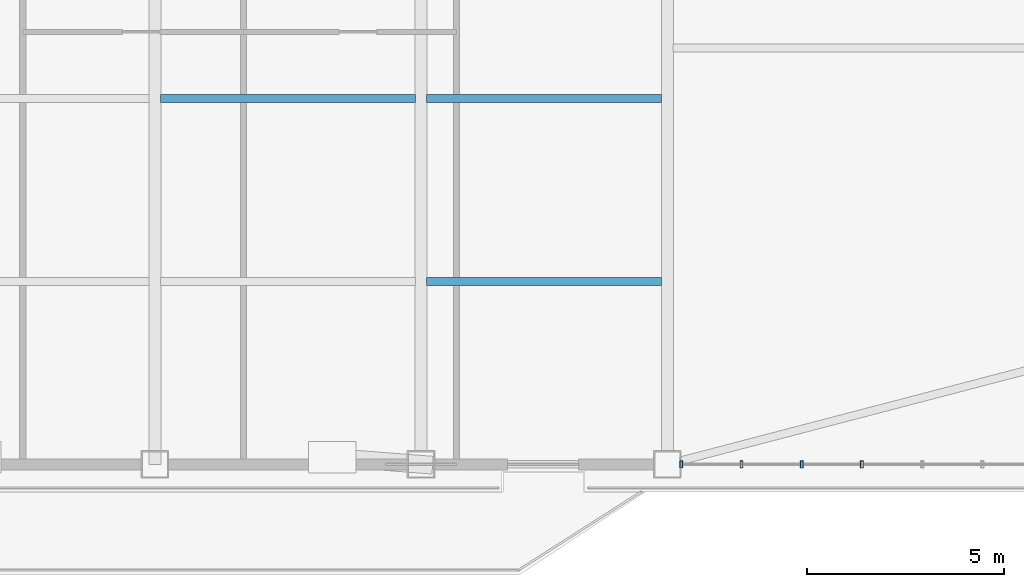
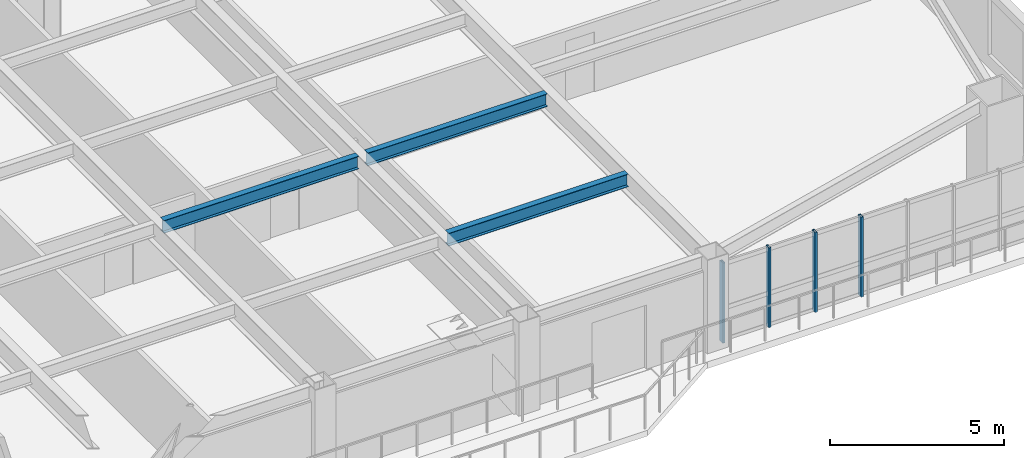
# One storey, part 4 of 15: 4 members, 3 beams, 1 element without a shape of its own.
"""IFC4 building model written with IfcOpenShell, lengths in metres."""

from ifc_helpers import new_model, si_unit, direction, frame, origin, origin_2d, place, context, subcontext, project, spatial, hollow_rectangle, i_section, extrude, source, transform, mapped, material, layer, layer_set, material_profile, profile_set, type_object, element, aggregate, save


model = new_model("IFC4")

# Units and contexts
model_context = context("Model", 3, precision=1e-05, world=origin(), true_north=direction((0.0, 1.0)))
body_context = subcontext(model_context, "Body", "Model", "MODEL_VIEW")
ifc_project = project(units=[si_unit("LENGTHUNIT", "METRE"), si_unit("AREAUNIT", "SQUARE_METRE"), si_unit("VOLUMEUNIT", "CUBIC_METRE"), si_unit("PLANEANGLEUNIT", "RADIAN"), si_unit("MASSUNIT", "GRAM", prefix="KILO")], contexts=[model_context])

# Site, building, storey
site_placement = place(None, origin())
site = spatial("IfcSite", under=ifc_project, at=site_placement, CompositionType="ELEMENT")
building_placement = place(site_placement, origin())
building = spatial("IfcBuilding", under=site, at=building_placement, Name="Giltprow Tower", CompositionType="ELEMENT")
storey_placement = place(building_placement, frame((0.0, 0.0, 170.199951171875)))
storey = spatial("IfcBuildingStorey", under=building, at=storey_placement, Name="L42", CompositionType="ELEMENT", Elevation=170.199951171875)

# Beams
ifc_material_1 = material(Name="Structural steel Q355B", Category="steel")
ifc_material_profile_1 = material_profile(ifc_material_1, i_section(OverallWidth=0.199951171875, OverallDepth=0.449951171875, WebThickness=0.009033203125, FlangeThickness=0.013916015625, at=origin_2d()), Name="HN 450x200x9x14")
ifc_profile_set_1 = profile_set([ifc_material_profile_1], Name="Structural steel Q355B")
beam_type = type_object("IfcBeamType", Name="BM-JOIST-HN450", PredefinedType="JOIST", material=ifc_profile_set_1)
shared_shape_1 = source(origin(), body_context, "Body", "SweptSolid", [
    extrude(i_section(OverallWidth=0.199951171875, OverallDepth=0.449951171875, WebThickness=0.009033203125, FlangeThickness=0.013916015625, at=origin_2d()), origin(), (0.0, 0.0, 1.0), 6.4599609375),
])
beam_placement = place(storey_placement, frame((37.695068359375, 18.90087890625, 3.045166015625), z_axis=(1.0, 0.0, 0.0), x_axis=(0.0, 1.0, 0.0)))
element("IfcBeam", 1, at=beam_placement, inside=storey, type_object=beam_type, Name="L42 Composite Floor Joist 2-3", PredefinedType="JOIST", context=body_context, shape_type="MappedRepresentation", body=[
    mapped(shared_shape_1, transform((0.0, 0.0, 0.0), x_axis=(1.0, 0.0, 0.0), y_axis=(0.0, 1.0, 0.0), z_axis=(0.0, 0.0, 1.0), scale=1.0)),
])
shared_shape_2 = source(origin(), body_context, "Body", "SweptSolid", [
    extrude(i_section(OverallWidth=0.199951171875, OverallDepth=0.449951171875, WebThickness=0.009033203125, FlangeThickness=0.013916015625, at=origin_2d()), origin(), (0.0, 0.0, 1.0), 5.9599609375),
])
for number, where, z_axis, x_axis, name in (
    (2, (44.445068359375, 14.262939453125, 3.045166015625), (1.0, 0.0, 0.0), (0.0, 1.0, 0.0), "L42 Composite Floor Joist 1-4"),
    (3, (44.445068359375, 18.90087890625, 3.045166015625), (1.0, 0.0, 0.0), (0.0, 1.0, 0.0), "L42 Composite Floor Joist 2-4"),
):
    element("IfcBeam", number, at=place(storey_placement, frame(where, z_axis=z_axis, x_axis=x_axis)), inside=storey, type_object=beam_type, Name=name, PredefinedType="JOIST", context=body_context, shape_type="MappedRepresentation", body=[
        mapped(shared_shape_2, transform((0.0, 0.0, 0.0), x_axis=(1.0, 0.0, 0.0), y_axis=(0.0, 1.0, 0.0), z_axis=(0.0, 0.0, 1.0), scale=1.0)),
    ])

# Curtain wall, members
ifc_material_2 = material(Name="Anodized bronze", Category="metal")
ifc_layer = layer(ifc_material_2, 0.179931640625, Name="Anodized bronze")
ifc_layer_set = layer_set([ifc_layer], Name="Anodized bronze")
curtain_wall_type = type_object("IfcCurtainWallType", Name="CW-HTL-BRONZE", PredefinedType="NOTDEFINED", material=ifc_layer_set)
curtain_wall_placement = place(storey_placement, origin())
curtain_wall = element("IfcCurtainWall", 4, at=curtain_wall_placement, inside=storey, type_object=curtain_wall_type, Name="L42 South Recessed Curtain Wall 6", PredefinedType="NOTDEFINED")
ifc_material_profile_2 = material_profile(ifc_material_2, hollow_rectangle(XDim=0.074951171875, YDim=0.179931640625, WallThickness=0.008056640625, at=origin_2d()), Name="RHS 180x75x8")
ifc_profile_set_2 = profile_set([ifc_material_profile_2], Name="Anodized bronze")
member_type = type_object("IfcMemberType", Name="CW-MULLION-180x75", PredefinedType="MULLION", material=ifc_profile_set_2)
shared_shape_3 = source(origin(), body_context, "Body", "SweptSolid", [
    extrude(hollow_rectangle(XDim=0.074951171875, YDim=0.179931640625, WallThickness=0.008056640625, at=origin_2d()), origin(), (0.0, 0.0, 1.0), 2.80517578125),
])
member_1_placement = place(storey_placement, frame((50.89990234375, 9.6259765625, -0.02001953125), z_axis=(0.0, 0.0, 1.0), x_axis=(1.0, 0.0, 0.0)))
member_1 = element("IfcMember", 5, at=member_1_placement, type_object=member_type, Name="L42 South Recessed Curtain Wall 6 Mullion 1", PredefinedType="MULLION", context=body_context, shape_type="MappedRepresentation", body=[
    mapped(shared_shape_3, transform((0.0, 0.0, 0.0), x_axis=(1.0, 0.0, 0.0), y_axis=(0.0, 1.0, 0.0), z_axis=(0.0, 0.0, 1.0), scale=1.0)),
])
member_2_placement = place(storey_placement, frame((52.427978515625, 9.6259765625, -0.02001953125), z_axis=(0.0, 0.0, 1.0), x_axis=(1.0, 0.0, 0.0)))
member_2 = element("IfcMember", 6, at=member_2_placement, type_object=member_type, Name="L42 South Recessed Curtain Wall 6 Mullion 2", PredefinedType="MULLION", context=body_context, shape_type="MappedRepresentation", body=[
    mapped(shared_shape_3, transform((0.0, 0.0, 0.0), x_axis=(1.0, 0.0, 0.0), y_axis=(0.0, 1.0, 0.0), z_axis=(0.0, 0.0, 1.0), scale=1.0)),
])
member_3_placement = place(storey_placement, frame((53.955078125, 9.6259765625, -0.02001953125), z_axis=(0.0, 0.0, 1.0), x_axis=(1.0, 0.0, 0.0)))
member_3 = element("IfcMember", 7, at=member_3_placement, type_object=member_type, Name="L42 South Recessed Curtain Wall 6 Mullion 3", PredefinedType="MULLION", context=body_context, shape_type="MappedRepresentation", body=[
    mapped(shared_shape_3, transform((0.0, 0.0, 0.0), x_axis=(1.0, 0.0, 0.0), y_axis=(0.0, 1.0, 0.0), z_axis=(0.0, 0.0, 1.0), scale=1.0)),
])
member_4_placement = place(storey_placement, frame((55.48291015625, 9.6259765625, -0.02001953125), z_axis=(0.0, 0.0, 1.0), x_axis=(1.0, 0.0, 0.0)))
member_4 = element("IfcMember", 8, at=member_4_placement, type_object=member_type, Name="L42 South Recessed Curtain Wall 6 Mullion 4", PredefinedType="MULLION", context=body_context, shape_type="MappedRepresentation", body=[
    mapped(shared_shape_3, transform((0.0, 0.0, 0.0), x_axis=(1.0, 0.0, 0.0), y_axis=(0.0, 1.0, 0.0), z_axis=(0.0, 0.0, 1.0), scale=1.0)),
])
aggregate(curtain_wall, [member_1, member_2, member_3, member_4])

save(model, "model.ifc")
